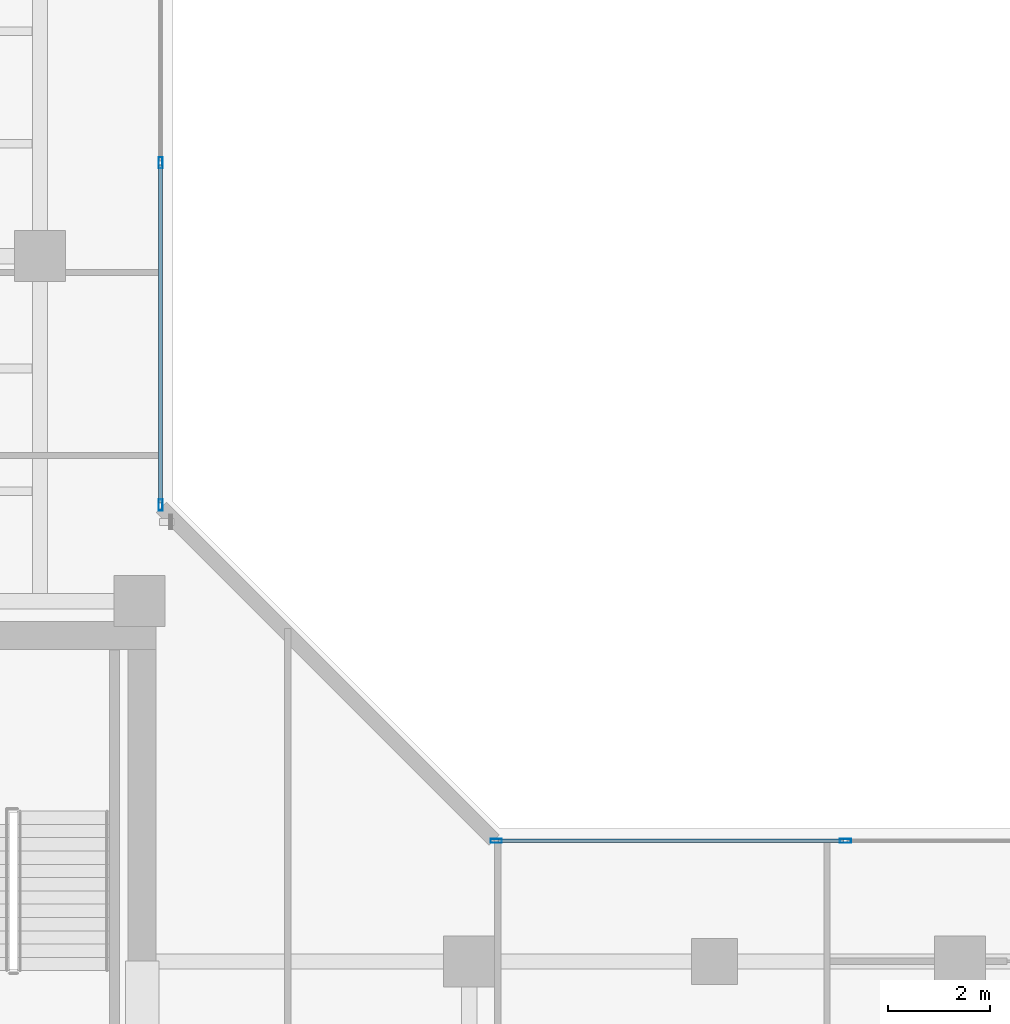
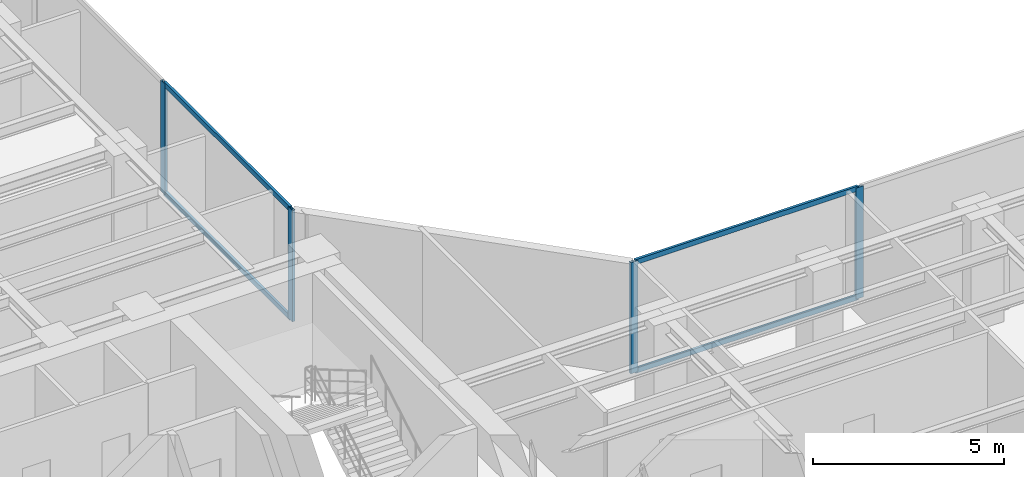
# One storey, part 10 of 24: 8 members, 2 elements without a shape of their own.
"""IFC4 building model written with IfcOpenShell, lengths in metres."""

from ifc_helpers import new_model, si_unit, direction, frame, origin, origin_with_axes, origin_2d, place, context, subcontext, project, spatial, hollow_rectangle, extrude, source, transform, mapped, material, layer, layer_set, material_profile, profile_set, type_object, element, aggregate, save


model = new_model("IFC4")

# Units and contexts
model_context = context("Model", 3, precision=1e-05, world=origin(), true_north=direction((0.0, 1.0)))
body_context = subcontext(model_context, "Body", "Model", "MODEL_VIEW")
ifc_project = project(units=[si_unit("LENGTHUNIT", "METRE"), si_unit("AREAUNIT", "SQUARE_METRE"), si_unit("VOLUMEUNIT", "CUBIC_METRE"), si_unit("PLANEANGLEUNIT", "RADIAN"), si_unit("MASSUNIT", "GRAM", prefix="KILO")], contexts=[model_context])

# Site, building, storey
site_placement = place(None, origin())
site = spatial("IfcSite", under=ifc_project, at=site_placement, CompositionType="ELEMENT")
building_placement = place(site_placement, origin())
building = spatial("IfcBuilding", under=site, at=building_placement, Name="Kolvaren Waterfront Exchange", CompositionType="ELEMENT")
storey_placement = place(building_placement, frame((0.0, 0.0, 238.699951171875)))
storey = spatial("IfcBuildingStorey", under=building, at=storey_placement, Name="L61", CompositionType="ELEMENT", Elevation=238.699951171875)

# Curtain wall, members
ifc_material_1 = material(Name="Anodised bronze aluminium 6063-T6", Category="aluminium")
ifc_layer = layer(ifc_material_1, 0.219970703125, Name="Anodised bronze aluminium 6063-T6")
ifc_layer_set = layer_set([ifc_layer], Name="Anodised bronze aluminium 6063-T6")
curtain_wall_type = type_object("IfcCurtainWallType", Name="ARC-CW-SYS1", PredefinedType="USERDEFINED", material=ifc_layer_set)
curtain_wall_1_placement = place(storey_placement, origin())
curtain_wall_1 = element("IfcCurtainWall", 1, at=curtain_wall_1_placement, inside=storey, type_object=curtain_wall_type, Name="L61 stick curtain wall CW1 (CW-L61-NE)", ObjectType="STICK CURTAIN WALL", PredefinedType="USERDEFINED")
ifc_material_2 = material(Name="Anodised aluminium 6063-T6", Category="aluminium")
ifc_material_profile_1 = material_profile(ifc_material_2, hollow_rectangle(XDim=0.080078125, YDim=0.219970703125, WallThickness=0.0048828125, at=origin_2d()), Name="ALU-MUL-220x80x5")
ifc_profile_set_1 = profile_set([ifc_material_profile_1], Name="Anodised aluminium 6063-T6")
member_type_1 = type_object("IfcMemberType", Name="ARC-CWM-220", PredefinedType="MULLION", material=ifc_profile_set_1)
shared_shape_1 = source(origin_with_axes(), body_context, "Body", "SweptSolid", [
    extrude(hollow_rectangle(XDim=0.080078125, YDim=0.219970703125, WallThickness=0.0048828125, at=origin_2d()), origin(), (0.0, 0.0, 1.0), 3.56005859375),
])
member_1_placement = place(storey_placement, frame((21.159912109375, 26.330078125, 0.0), z_axis=(0.0, 0.0, 1.0), x_axis=(-1.0, 0.0, 0.0)))
member_1 = element("IfcMember", 2, at=member_1_placement, type_object=member_type_1, Name="CW1 mullion 1", PredefinedType="MULLION", context=body_context, shape_type="MappedRepresentation", body=[
    mapped(shared_shape_1, transform((0.0, 0.0, 0.0), x_axis=(1.0, 0.0, 0.0), y_axis=(0.0, 1.0, 0.0), z_axis=(0.0, 0.0, 1.0), scale=1.0)),
])
member_2_placement = place(storey_placement, frame((21.159912109375, 33.026611328125, 0.0), z_axis=(0.0, 0.0, 1.0), x_axis=(-1.0, 0.0, 0.0)))
member_2 = element("IfcMember", 3, at=member_2_placement, type_object=member_type_1, Name="CW1 mullion 2", PredefinedType="MULLION", context=body_context, shape_type="MappedRepresentation", body=[
    mapped(shared_shape_1, transform((0.0, 0.0, 0.0), x_axis=(1.0, 0.0, 0.0), y_axis=(0.0, 1.0, 0.0), z_axis=(0.0, 0.0, 1.0), scale=1.0)),
])

curtain_wall_2_placement = place(storey_placement, origin())
curtain_wall_2 = element("IfcCurtainWall", 4, at=curtain_wall_2_placement, inside=storey, type_object=curtain_wall_type, Name="L61 stick curtain wall CW1 (CW-L61-EN)", ObjectType="STICK CURTAIN WALL", PredefinedType="USERDEFINED")
member_3_placement = place(storey_placement, frame((27.72998046875, 19.760009765625, 0.0), z_axis=(0.0, 0.0, 1.0), x_axis=(0.0, 1.0, 0.0)))
member_3 = element("IfcMember", 5, at=member_3_placement, type_object=member_type_1, Name="CW1 mullion 1", PredefinedType="MULLION", context=body_context, shape_type="MappedRepresentation", body=[
    mapped(shared_shape_1, transform((0.0, 0.0, 0.0), x_axis=(1.0, 0.0, 0.0), y_axis=(0.0, 1.0, 0.0), z_axis=(0.0, 0.0, 1.0), scale=1.0)),
])
member_4_placement = place(storey_placement, frame((34.56005859375, 19.760009765625, 0.0), z_axis=(0.0, 0.0, 1.0), x_axis=(0.0, 1.0, 0.0)))
member_4 = element("IfcMember", 6, at=member_4_placement, type_object=member_type_1, Name="CW1 mullion 2", PredefinedType="MULLION", context=body_context, shape_type="MappedRepresentation", body=[
    mapped(shared_shape_1, transform((0.0, 0.0, 0.0), x_axis=(1.0, 0.0, 0.0), y_axis=(0.0, 1.0, 0.0), z_axis=(0.0, 0.0, 1.0), scale=1.0)),
])

# Member
ifc_material_profile_2 = material_profile(ifc_material_2, hollow_rectangle(XDim=0.074951171875, YDim=0.159912109375, WallThickness=0.00439453125, at=origin_2d()), Name="ALU-TRN-160x75x4.5")
ifc_profile_set_2 = profile_set([ifc_material_profile_2], Name="Anodised aluminium 6063-T6")
member_type_2 = type_object("IfcMemberType", Name="ARC-CWT-160", PredefinedType="USERDEFINED", material=ifc_profile_set_2)
shared_shape_2 = source(origin_with_axes(), body_context, "Body", "SweptSolid", [
    extrude(hollow_rectangle(XDim=0.074951171875, YDim=0.159912109375, WallThickness=0.00439453125, at=origin_2d()), origin(), (0.0, 0.0, 1.0), 6.616455078125),
])
member_5_placement = place(storey_placement, frame((21.159912109375, 26.3701171875, 0.03759765625), z_axis=(0.0, 1.0, 0.0), x_axis=(-1.0, 0.0, 0.0)))
member_5 = element("IfcMember", 7, at=member_5_placement, type_object=member_type_2, Name="CW1 transom 1.1", ObjectType="TRANSOM", PredefinedType="USERDEFINED", context=body_context, shape_type="MappedRepresentation", body=[
    mapped(shared_shape_2, transform((0.0, 0.0, 0.0), x_axis=(1.0, 0.0, 0.0), y_axis=(0.0, 1.0, 0.0), z_axis=(0.0, 0.0, 1.0), scale=1.0)),
])

member_6_placement = place(storey_placement, frame((21.159912109375, 26.3701171875, 3.5224609375), z_axis=(0.0, 1.0, 0.0), x_axis=(-1.0, 0.0, 0.0)))
member_6 = element("IfcMember", 8, at=member_6_placement, type_object=member_type_2, Name="CW1 transom 1.2", ObjectType="TRANSOM", PredefinedType="USERDEFINED", context=body_context, shape_type="MappedRepresentation", body=[
    mapped(shared_shape_2, transform((0.0, 0.0, 0.0), x_axis=(1.0, 0.0, 0.0), y_axis=(0.0, 1.0, 0.0), z_axis=(0.0, 0.0, 1.0), scale=1.0)),
])

aggregate(curtain_wall_1, [member_1, member_2, member_5, member_6])

shared_shape_3 = source(origin_with_axes(), body_context, "Body", "SweptSolid", [
    extrude(hollow_rectangle(XDim=0.074951171875, YDim=0.159912109375, WallThickness=0.00439453125, at=origin_2d()), origin(), (0.0, 0.0, 1.0), 6.75),
])
member_7_placement = place(storey_placement, frame((27.77001953125, 19.760009765625, 0.03759765625), z_axis=(1.0, 0.0, 0.0), x_axis=(0.0, 1.0, 0.0)))
member_7 = element("IfcMember", 9, at=member_7_placement, type_object=member_type_2, Name="CW1 transom 1.1", ObjectType="TRANSOM", PredefinedType="USERDEFINED", context=body_context, shape_type="MappedRepresentation", body=[
    mapped(shared_shape_3, transform((0.0, 0.0, 0.0), x_axis=(1.0, 0.0, 0.0), y_axis=(0.0, 1.0, 0.0), z_axis=(0.0, 0.0, 1.0), scale=1.0)),
])

member_8_placement = place(storey_placement, frame((27.77001953125, 19.760009765625, 3.5224609375), z_axis=(1.0, 0.0, 0.0), x_axis=(0.0, 1.0, 0.0)))
member_8 = element("IfcMember", 10, at=member_8_placement, type_object=member_type_2, Name="CW1 transom 1.2", ObjectType="TRANSOM", PredefinedType="USERDEFINED", context=body_context, shape_type="MappedRepresentation", body=[
    mapped(shared_shape_3, transform((0.0, 0.0, 0.0), x_axis=(1.0, 0.0, 0.0), y_axis=(0.0, 1.0, 0.0), z_axis=(0.0, 0.0, 1.0), scale=1.0)),
])

aggregate(curtain_wall_2, [member_3, member_4, member_7, member_8])

save(model, "model.ifc")
